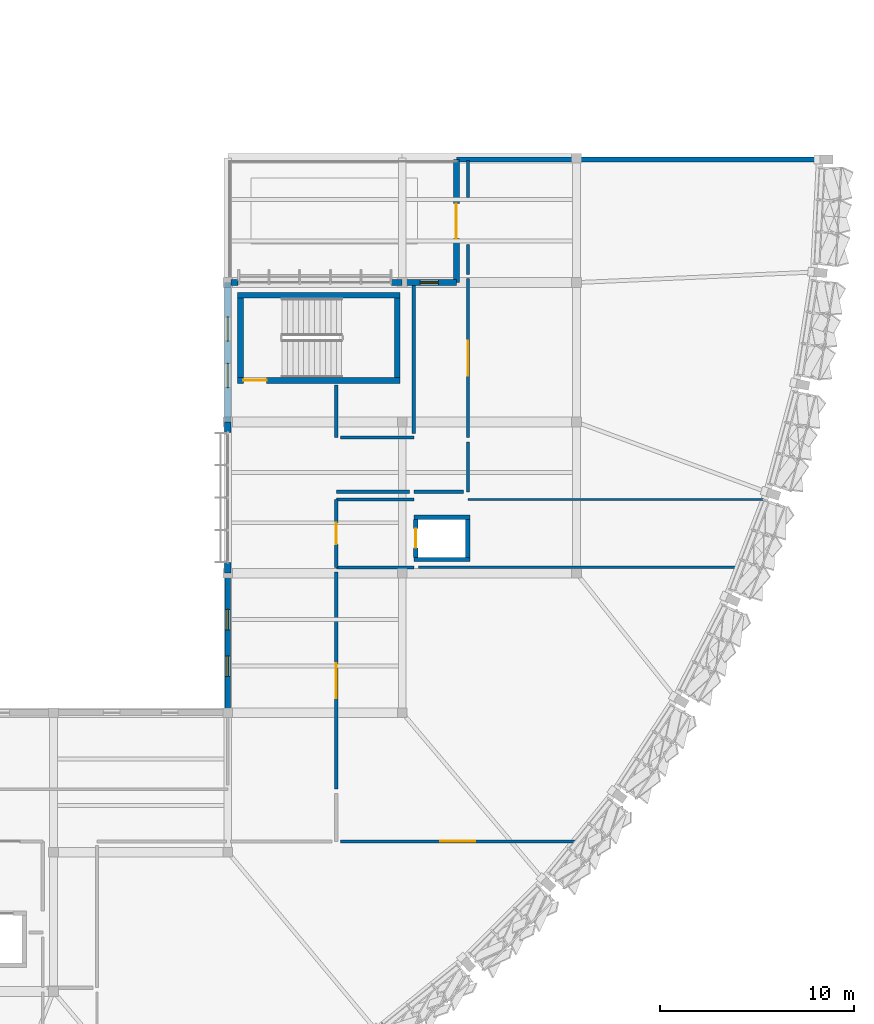
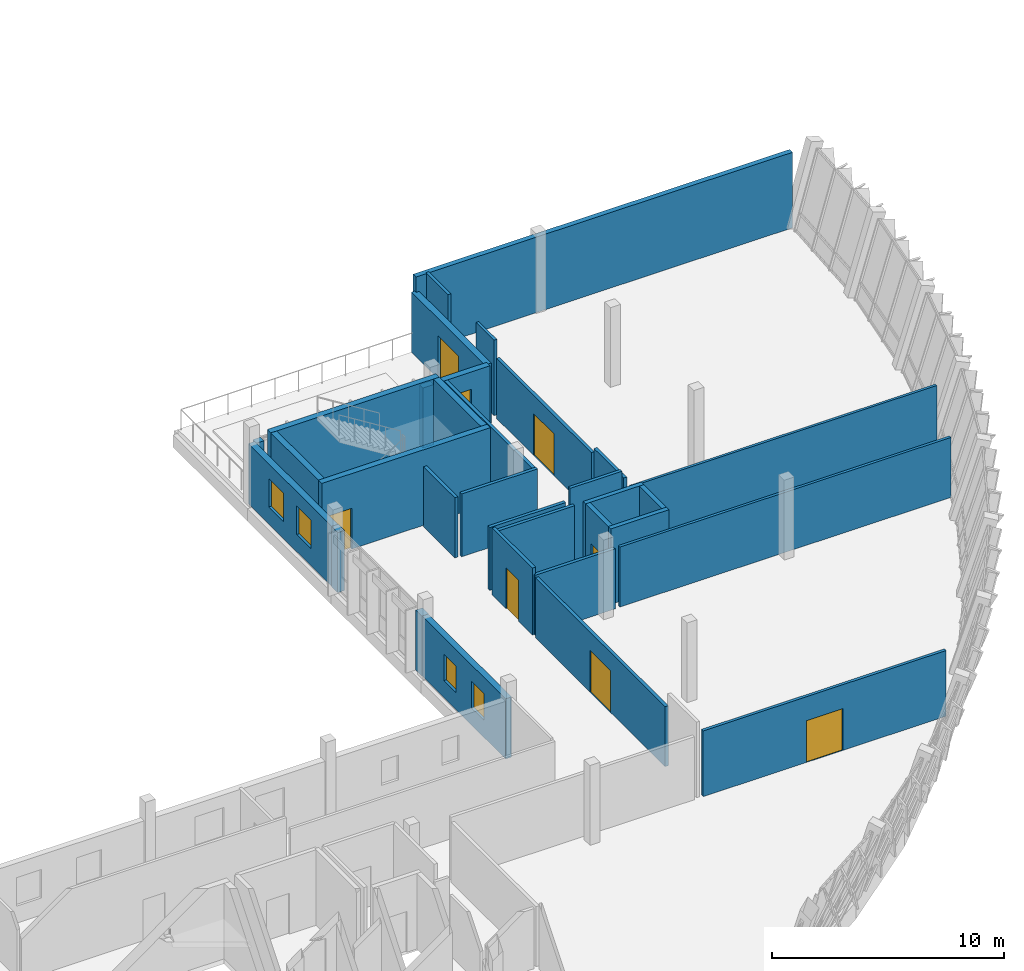
# One storey, part 22 of 24: 33 walls, 7 doors, 5 windows, 12 openings.
"""IFC4 building model written with IfcOpenShell, lengths in metres."""

from ifc_helpers import new_model, si_unit, direction, frame, frame_2d, origin, place, context, subcontext, project, spatial, rectangle, extrude, material, layer, layer_set, type_object, element, fill, save


model = new_model("IFC4")

# Units and contexts
model_context = context("Model", 3, precision=1e-05, world=origin(), true_north=direction((0.0, 1.0)))
body_context = subcontext(model_context, "Body", "Model", "MODEL_VIEW")
ifc_project = project(units=[si_unit("LENGTHUNIT", "METRE"), si_unit("AREAUNIT", "SQUARE_METRE"), si_unit("VOLUMEUNIT", "CUBIC_METRE"), si_unit("PLANEANGLEUNIT", "RADIAN"), si_unit("MASSUNIT", "GRAM", prefix="KILO")], contexts=[model_context])

# Site, building, storey
site_placement = place(None, origin())
site = spatial("IfcSite", under=ifc_project, at=site_placement, CompositionType="ELEMENT")
building_placement = place(site_placement, origin())
building = spatial("IfcBuilding", under=site, at=building_placement, Name="Chiffa Square Polytechnic", CompositionType="ELEMENT")
storey_placement = place(building_placement, frame((0.0, 0.0, 22.199951171875)))
storey = spatial("IfcBuildingStorey", under=building, at=storey_placement, Name="L05", CompositionType="ELEMENT", Elevation=22.199951171875)

# Wall, opening, door
ifc_material_1 = material(Name="Concrete C40/50", Category="concrete")
ifc_layer_1 = layer(ifc_material_1, 0.300048828125, Name="Concrete C40/50")
ifc_layer_set_1 = layer_set([ifc_layer_1], Name="Concrete C40/50")
wall_type_1 = type_object("IfcWallType", Name="WL-CORE-300", PredefinedType="SHEAR", material=ifc_layer_set_1)
wall_1_placement = place(storey_placement, frame((148.699951171875, 45.949951171875, 0.0), z_axis=(0.0, 0.0, 1.0), x_axis=(1.0, 0.0, 0.0)))
wall_1 = element("IfcWall", 1, at=wall_1_placement, inside=storey, type_object=wall_type_1, Name="Core or enclosure wall WC-CORE-V1B-L05-SOUTH", PredefinedType="SHEAR", context=body_context, shape_type="SweptSolid", body=[
    extrude(rectangle(XDim=8.400146484375, YDim=0.300048828125, at=frame_2d((4.2001953125, 0.0))), origin(), (0.0, 0.0, 1.0), 3.97998046875),
])
opening_1_placement = place(wall_1_placement, frame((0.300048828125, 0.0, 0.0)))
opening_1 = element("IfcOpeningElement", 2, at=opening_1_placement, cuts=wall_1, Name="Opening DS-L05-015", PredefinedType="OPENING", context=body_context, shape_type="SweptSolid", body=[
    extrude(rectangle(XDim=1.199951171875, YDim=2.14990234375, at=frame_2d((0.60009765625, 1.074951171875))), frame((0.0, 0.16015625, 0.0), z_axis=(0.0, -1.0, 0.0), x_axis=(1.0, 0.0, 0.0)), (0.0, 0.0, 1.0), 0.320068359375),
])
ifc_material_2 = material(Name="Fire-rated painted steel leaf", Category="steel")
door_type_1 = type_object("IfcDoorType", Name="DR-STAIR-1200", OperationType="NOTDEFINED", PredefinedType="DOOR", material=ifc_material_2)
door_1_placement = place(opening_1_placement, origin())
door_1 = element("IfcDoor", 3, at=door_1_placement, inside=storey, type_object=door_type_1, Name="Enclosure door DS-L05-015", OperationType="SINGLE_SWING_LEFT", OverallHeight=2.14990234375, OverallWidth=1.199951171875, PredefinedType="DOOR", context=body_context, shape_type="SweptSolid", body=[
    extrude(rectangle(XDim=1.199951171875, YDim=2.14990234375, at=frame_2d((0.60009765625, 1.074951171875))), frame((0.0, 0.02490234375, 0.0), z_axis=(0.0, -1.0, 0.0), x_axis=(1.0, 0.0, 0.0)), (0.0, 0.0, 1.0), 0.050048828125),
])
fill(opening_1, door_1)

# Walls
wall_2_placement = place(storey_placement, frame((148.699951171875, 50.35009765625, 0.0), z_axis=(0.0, 0.0, 1.0), x_axis=(1.0, 0.0, 0.0)))
element("IfcWall", 4, at=wall_2_placement, inside=storey, type_object=wall_type_1, Name="Core or enclosure wall WC-CORE-V1B-L05-NORTH", PredefinedType="SHEAR", context=body_context, shape_type="SweptSolid", body=[
    extrude(rectangle(XDim=8.400146484375, YDim=0.300048828125, at=frame_2d((4.2001953125, 0.0))), origin(), (0.0, 0.0, 1.0), 3.97998046875),
])
for number, where, z_axis, x_axis, name in (
    (5, (148.85009765625, 46.10009765625, 0.0), (0.0, 0.0, 1.0), (0.0, 1.0, 0.0), "Core or enclosure wall WC-CORE-V1B-L05-WEST"),
    (6, (156.949951171875, 46.10009765625, 0.0), (0.0, 0.0, 1.0), (0.0, 1.0, 0.0), "Core or enclosure wall WC-CORE-V1B-L05-EAST"),
):
    element("IfcWall", number, at=place(storey_placement, frame(where, z_axis=z_axis, x_axis=x_axis)), inside=storey, type_object=wall_type_1, Name=name, PredefinedType="SHEAR", context=body_context, shape_type="SweptSolid", body=[
        extrude(rectangle(XDim=4.099853515625, YDim=0.300048828125, at=frame_2d((2.0498046875, 0.0))), origin(), (0.0, 0.0, 1.0), 3.97998046875),
    ])

# Wall, opening, window
ifc_material_3 = material(Name="Precast concrete C40/50", Category="concrete")
ifc_layer_2 = layer(ifc_material_3, 0.300048828125, Name="Precast concrete C40/50")
ifc_layer_set_2 = layer_set([ifc_layer_2], Name="Precast concrete C40/50")
wall_type_2 = type_object("IfcWallType", Name="WL-EXT-PC300", PredefinedType="SOLIDWALL", material=ifc_layer_set_2)
wall_3_placement = place(storey_placement, frame((160.0, 51.0, 0.0), z_axis=(0.0, 0.0, 1.0), x_axis=(-1.0, 0.0, 0.0)))
wall_3 = element("IfcWall", 7, at=wall_3_placement, inside=storey, type_object=wall_type_2, Name="Exterior wall WE-V1-L05-0074", PredefinedType="SOLIDWALL", context=body_context, shape_type="SweptSolid", body=[
    extrude(rectangle(XDim=2.800048828125, YDim=0.300048828125, at=frame_2d((1.39990234375, 0.0))), origin(), (0.0, 0.0, 1.0), 3.1650390625),
])
opening_2_placement = place(wall_3_placement, frame((0.925048828125, 0.0, 0.89990234375)))
opening_2 = element("IfcOpeningElement", 8, at=opening_2_placement, cuts=wall_3, Name="Opening W-21", PredefinedType="OPENING", context=body_context, shape_type="SweptSolid", body=[
    extrude(rectangle(XDim=0.949951171875, YDim=1.35009765625, at=frame_2d((0.47509765625, 0.675048828125))), frame((0.0, 0.16015625, 0.0), z_axis=(0.0, -1.0, 0.0), x_axis=(1.0, 0.0, 0.0)), (0.0, 0.0, 1.0), 0.320068359375),
])
ifc_material_4 = material(Name="Double glazing in thermally broken aluminium frame", Category="aluminium")
window_type_1 = type_object("IfcWindowType", Name="WIN-OFF-0950X1350", PartitioningType="DOUBLE_PANEL_VERTICAL", PredefinedType="WINDOW", material=ifc_material_4)
window_1_placement = place(opening_2_placement, origin())
window_1 = element("IfcWindow", 9, at=window_1_placement, inside=storey, type_object=window_type_1, Name="Facade window WN-L05-0074", OverallHeight=1.35009765625, OverallWidth=0.949951171875, PartitioningType="DOUBLE_PANEL_VERTICAL", PredefinedType="WINDOW", context=body_context, shape_type="SweptSolid", body=[
    extrude(rectangle(XDim=0.949951171875, YDim=1.35009765625, at=frame_2d((0.47509765625, 0.675048828125))), frame((0.0, 0.030029296875, 0.0), z_axis=(0.0, -1.0, 0.0), x_axis=(1.0, 0.0, 0.0)), (0.0, 0.0, 1.0), 0.06005859375),
])
fill(opening_2, window_1)

# Wall, openings, windows
wall_4_placement = place(storey_placement, frame((148.199951171875, 36.0, 0.0), z_axis=(0.0, 0.0, 1.0), x_axis=(0.0, -1.0, 0.0)))
wall_4 = element("IfcWall", 10, at=wall_4_placement, inside=storey, type_object=wall_type_2, Name="Exterior wall WE-V1-L05-0078", PredefinedType="SOLIDWALL", context=body_context, shape_type="SweptSolid", body=[
    extrude(rectangle(XDim=7.199951171875, YDim=0.300048828125, at=frame_2d((3.60009765625, 0.0))), origin(), (0.0, 0.0, 1.0), 3.1650390625),
])
opening_3_placement = place(wall_4_placement, frame((1.875, 0.0, 0.89990234375)))
opening_3 = element("IfcOpeningElement", 11, at=opening_3_placement, cuts=wall_4, Name="Opening W-20", PredefinedType="OPENING", context=body_context, shape_type="SweptSolid", body=[
    extrude(rectangle(XDim=1.050048828125, YDim=1.39990234375, at=frame_2d((0.52490234375, 0.699951171875))), frame((0.0, 0.16015625, 0.0), z_axis=(0.0, -1.0, 0.0), x_axis=(1.0, 0.0, 0.0)), (0.0, 0.0, 1.0), 0.320068359375),
])
opening_4_placement = place(wall_4_placement, frame((4.27490234375, 0.0, 0.89990234375)))
opening_4 = element("IfcOpeningElement", 12, at=opening_4_placement, cuts=wall_4, Name="Opening W-20", PredefinedType="OPENING", context=body_context, shape_type="SweptSolid", body=[
    extrude(rectangle(XDim=1.050048828125, YDim=1.39990234375, at=frame_2d((0.52490234375, 0.699951171875))), frame((0.0, 0.16015625, 0.0), z_axis=(0.0, -1.0, 0.0), x_axis=(1.0, 0.0, 0.0)), (0.0, 0.0, 1.0), 0.320068359375),
])
window_type_2 = type_object("IfcWindowType", Name="WIN-OFF-1050X1400", PartitioningType="DOUBLE_PANEL_VERTICAL", PredefinedType="WINDOW", material=ifc_material_4)
window_2_placement = place(opening_3_placement, origin())
window_2 = element("IfcWindow", 13, at=window_2_placement, inside=storey, type_object=window_type_2, Name="Facade window WN-L05-0077", OverallHeight=1.39990234375, OverallWidth=1.050048828125, PartitioningType="DOUBLE_PANEL_VERTICAL", PredefinedType="WINDOW", context=body_context, shape_type="SweptSolid", body=[
    extrude(rectangle(XDim=1.050048828125, YDim=1.39990234375, at=frame_2d((0.52490234375, 0.699951171875))), frame((0.0, 0.030029296875, 0.0), z_axis=(0.0, -1.0, 0.0), x_axis=(1.0, 0.0, 0.0)), (0.0, 0.0, 1.0), 0.06005859375),
])
fill(opening_3, window_2)
window_3_placement = place(opening_4_placement, origin())
window_3 = element("IfcWindow", 14, at=window_3_placement, inside=storey, type_object=window_type_2, Name="Facade window WN-L05-0078", OverallHeight=1.39990234375, OverallWidth=1.050048828125, PartitioningType="DOUBLE_PANEL_VERTICAL", PredefinedType="WINDOW", context=body_context, shape_type="SweptSolid", body=[
    extrude(rectangle(XDim=1.050048828125, YDim=1.39990234375, at=frame_2d((0.52490234375, 0.699951171875))), frame((0.0, 0.030029296875, 0.0), z_axis=(0.0, -1.0, 0.0), x_axis=(1.0, 0.0, 0.0)), (0.0, 0.0, 1.0), 0.06005859375),
])
fill(opening_4, window_3)

# Wall, opening, door
ifc_layer_3 = layer(ifc_material_3, 0.320068359375, Name="Precast concrete C40/50")
ifc_layer_set_3 = layer_set([ifc_layer_3], Name="Precast concrete C40/50")
wall_type_3 = type_object("IfcWallType", Name="WL-EXT-PC320", PredefinedType="SOLIDWALL", material=ifc_layer_set_3)
wall_5_placement = place(storey_placement, frame((160.0, 57.35009765625, 0.0), z_axis=(0.0, 0.0, 1.0), x_axis=(0.0, -1.0, 0.0)))
wall_5 = element("IfcWall", 15, at=wall_5_placement, inside=storey, type_object=wall_type_3, Name="Exterior wall WE-V1-L05-0073", PredefinedType="SOLIDWALL", context=body_context, shape_type="SweptSolid", body=[
    extrude(rectangle(XDim=6.35009765625, YDim=0.320068359375, at=frame_2d((3.175048828125, 0.0))), origin(), (0.0, 0.0, 1.0), 3.1650390625),
])
opening_5_placement = place(wall_5_placement, frame((2.27490234375, 0.0, 0.0)))
opening_5 = element("IfcOpeningElement", 16, at=opening_5_placement, cuts=wall_5, Name="Opening DT-L05-015", PredefinedType="OPENING", context=body_context, shape_type="SweptSolid", body=[
    extrude(rectangle(XDim=1.800048828125, YDim=2.25, at=frame_2d((0.89990234375, 1.125))), frame((0.0, 0.169921875, 0.0), z_axis=(0.0, -1.0, 0.0), x_axis=(1.0, 0.0, 0.0)), (0.0, 0.0, 1.0), 0.340087890625),
])
ifc_material_5 = material(Name="Thermally broken aluminium glazed door", Category="aluminium")
door_type_2 = type_object("IfcDoorType", Name="DR-TERR-DBL-1800", OperationType="DOUBLE_DOOR_SINGLE_SWING", PredefinedType="DOOR", material=ifc_material_5)
door_2_placement = place(opening_5_placement, origin())
door_2 = element("IfcDoor", 17, at=door_2_placement, inside=storey, type_object=door_type_2, Name="Exterior door DT-L05-015", OperationType="DOUBLE_DOOR_SINGLE_SWING", OverallHeight=2.25, OverallWidth=1.800048828125, PredefinedType="DOOR", context=body_context, shape_type="SweptSolid", body=[
    extrude(rectangle(XDim=1.800048828125, YDim=2.25, at=frame_2d((0.89990234375, 1.125))), frame((0.0, 0.02490234375, 0.0), z_axis=(0.0, -1.0, 0.0), x_axis=(1.0, 0.0, 0.0)), (0.0, 0.0, 1.0), 0.050048828125),
])
fill(opening_5, door_2)

# Walls
wall_6_placement = place(storey_placement, frame((157.199951171875, 51.0, 0.0), z_axis=(0.0, 0.0, 1.0), x_axis=(-1.0, 0.0, 0.0)))
element("IfcWall", 18, at=wall_6_placement, inside=storey, type_object=wall_type_3, Name="Facade column pier V1-L05-0075L", PredefinedType="SOLIDWALL", context=body_context, shape_type="SweptSolid", body=[
    extrude(rectangle(XDim=0.5400390625, YDim=0.320068359375, at=frame_2d((0.27001953125, 0.0))), origin(), (0.0, 0.0, 1.0), 3.1650390625),
])
wall_7_placement = place(storey_placement, frame((148.739990234375, 51.0, 0.0), z_axis=(0.0, 0.0, 1.0), x_axis=(-1.0, 0.0, 0.0)))
element("IfcWall", 19, at=wall_7_placement, inside=storey, type_object=wall_type_3, Name="Facade column pier V1-L05-0075R", PredefinedType="SOLIDWALL", context=body_context, shape_type="SweptSolid", body=[
    extrude(rectangle(XDim=0.3779296875, YDim=0.320068359375, at=frame_2d((0.18896484375, 0.0))), origin(), (0.0, 0.0, 1.0), 3.1650390625),
])

# Wall, openings, windows
wall_8_placement = place(storey_placement, frame((148.199951171875, 51.0, 0.0), z_axis=(0.0, 0.0, 1.0), x_axis=(0.0, -1.0, 0.0)))
wall_8 = element("IfcWall", 20, at=wall_8_placement, inside=storey, type_object=wall_type_3, Name="Exterior wall WE-V1-L05-0076", PredefinedType="SOLIDWALL", context=body_context, shape_type="SweptSolid", body=[
    extrude(rectangle(XDim=7.199951171875, YDim=0.320068359375, at=frame_2d((3.60009765625, 0.0))), origin(), (0.0, 0.0, 1.0), 3.1650390625),
])
opening_6_placement = place(wall_8_placement, frame((1.77490234375, 0.0, 0.89990234375)))
opening_6 = element("IfcOpeningElement", 21, at=opening_6_placement, cuts=wall_8, Name="Opening W-18", PredefinedType="OPENING", context=body_context, shape_type="SweptSolid", body=[
    extrude(rectangle(XDim=1.25, YDim=1.5, at=frame_2d((0.625, 0.75))), frame((0.0, 0.169921875, 0.0), z_axis=(0.0, -1.0, 0.0), x_axis=(1.0, 0.0, 0.0)), (0.0, 0.0, 1.0), 0.340087890625),
])
opening_7_placement = place(wall_8_placement, frame((4.175048828125, 0.0, 0.89990234375)))
opening_7 = element("IfcOpeningElement", 22, at=opening_7_placement, cuts=wall_8, Name="Opening W-18", PredefinedType="OPENING", context=body_context, shape_type="SweptSolid", body=[
    extrude(rectangle(XDim=1.25, YDim=1.5, at=frame_2d((0.625, 0.75))), frame((0.0, 0.169921875, 0.0), z_axis=(0.0, -1.0, 0.0), x_axis=(1.0, 0.0, 0.0)), (0.0, 0.0, 1.0), 0.340087890625),
])
window_type_3 = type_object("IfcWindowType", Name="WIN-OFF-1250X1500", PartitioningType="DOUBLE_PANEL_VERTICAL", PredefinedType="WINDOW", material=ifc_material_4)
window_4_placement = place(opening_6_placement, origin())
window_4 = element("IfcWindow", 23, at=window_4_placement, inside=storey, type_object=window_type_3, Name="Facade window WN-L05-0075", OverallHeight=1.5, OverallWidth=1.25, PartitioningType="DOUBLE_PANEL_VERTICAL", PredefinedType="WINDOW", context=body_context, shape_type="SweptSolid", body=[
    extrude(rectangle(XDim=1.25, YDim=1.5, at=frame_2d((0.625, 0.75))), frame((0.0, 0.030029296875, 0.0), z_axis=(0.0, -1.0, 0.0), x_axis=(1.0, 0.0, 0.0)), (0.0, 0.0, 1.0), 0.06005859375),
])
fill(opening_6, window_4)
window_5_placement = place(opening_7_placement, origin())
window_5 = element("IfcWindow", 24, at=window_5_placement, inside=storey, type_object=window_type_3, Name="Facade window WN-L05-0076", OverallHeight=1.5, OverallWidth=1.25, PartitioningType="DOUBLE_PANEL_VERTICAL", PredefinedType="WINDOW", context=body_context, shape_type="SweptSolid", body=[
    extrude(rectangle(XDim=1.25, YDim=1.5, at=frame_2d((0.625, 0.75))), frame((0.0, 0.030029296875, 0.0), z_axis=(0.0, -1.0, 0.0), x_axis=(1.0, 0.0, 0.0)), (0.0, 0.0, 1.0), 0.06005859375),
])
fill(opening_7, window_5)

# Walls
ifc_layer_4 = layer(ifc_material_3, 0.340087890625, Name="Precast concrete C40/50")
ifc_layer_set_4 = layer_set([ifc_layer_4], Name="Precast concrete C40/50")
wall_type_4 = type_object("IfcWallType", Name="WL-EXT-PC340", PredefinedType="SOLIDWALL", material=ifc_layer_set_4)
for number, where, z_axis, x_axis, name in (
    (25, (148.199951171875, 43.800048828125, 0.0), (0.0, 0.0, 1.0), (0.0, -1.0, 0.0), "Facade column pier V1-L05-0077L"),
    (26, (148.199951171875, 36.5400390625, 0.0), (0.0, 0.0, 1.0), (0.0, -1.0, 0.0), "Facade column pier V1-L05-0077R"),
):
    element("IfcWall", number, at=place(storey_placement, frame(where, z_axis=z_axis, x_axis=x_axis)), inside=storey, type_object=wall_type_4, Name=name, PredefinedType="SOLIDWALL", context=body_context, shape_type="SweptSolid", body=[
        extrude(rectangle(XDim=0.5400390625, YDim=0.340087890625, at=frame_2d((0.27001953125, 0.0))), origin(), (0.0, 0.0, 1.0), 3.1650390625),
    ])
ifc_material_6 = material(Name="Gypsum board on steel stud", Category="steel")
ifc_layer_5 = layer(ifc_material_6, 0.125, Name="Gypsum board on steel stud")
ifc_layer_set_5 = layer_set([ifc_layer_5], Name="Gypsum board on steel stud")
wall_type_5 = type_object("IfcWallType", Name="WL-PART-125", PredefinedType="PARTITIONING", material=ifc_layer_set_5)
wall_9_placement = place(storey_placement, frame((160.60009765625, 39.800048828125, 0.0), z_axis=(0.0, 0.0, 1.0), x_axis=(1.0, 0.0, 0.0)))
element("IfcWall", 27, at=wall_9_placement, inside=storey, type_object=wall_type_5, Name="Interior partition WP-V1-L05-0704", PredefinedType="PARTITIONING", context=body_context, shape_type="SweptSolid", body=[
    extrude(rectangle(XDim=15.2568359375, YDim=0.125, at=frame_2d((7.62841796875, 0.0))), origin(), (0.0, 0.0, 1.0), 3.31494140625),
])
ifc_layer_6 = layer(ifc_material_6, 0.135009765625, Name="Gypsum board on steel stud")
ifc_layer_set_6 = layer_set([ifc_layer_6], Name="Gypsum board on steel stud")
wall_type_6 = type_object("IfcWallType", Name="WL-PART-135", PredefinedType="PARTITIONING", material=ifc_layer_set_6)
wall_10_placement = place(storey_placement, frame((158.0400390625, 36.300048828125, 0.0), z_axis=(0.0, 0.0, 1.0), x_axis=(1.0, 0.0, 0.0)))
element("IfcWall", 28, at=wall_10_placement, inside=storey, type_object=wall_type_6, Name="Interior partition WP-V1-L05-0688", PredefinedType="PARTITIONING", context=body_context, shape_type="SweptSolid", body=[
    extrude(rectangle(XDim=16.509033203125, YDim=0.135009765625, at=frame_2d((8.25439453125, 0.0))), origin(), (0.0, 0.0, 1.0), 3.1650390625),
])

# Wall, opening, door
ifc_layer_7 = layer(ifc_material_6, 0.14501953125, Name="Gypsum board on steel stud")
ifc_layer_set_7 = layer_set([ifc_layer_7], Name="Gypsum board on steel stud")
wall_type_7 = type_object("IfcWallType", Name="WL-PART-145", PredefinedType="PARTITIONING", material=ifc_layer_set_7)
wall_11_placement = place(storey_placement, frame((154.02001953125, 22.14990234375, 0.0), z_axis=(0.0, 0.0, 1.0), x_axis=(1.0, 0.0, 0.0)))
wall_11 = element("IfcWall", 29, at=wall_11_placement, inside=storey, type_object=wall_type_7, Name="Interior partition WP-V1-L05-0687", PredefinedType="PARTITIONING", context=body_context, shape_type="SweptSolid", body=[
    extrude(rectangle(XDim=12.10888671875, YDim=0.14501953125, at=frame_2d((6.054443359375, 0.0))), origin(), (0.0, 0.0, 1.0), 3.465087890625),
])
opening_8_placement = place(wall_11_placement, frame((5.154052734375, 0.0, 0.0)))
opening_8 = element("IfcOpeningElement", 30, at=opening_8_placement, cuts=wall_11, Name="Opening DI-L05-238", PredefinedType="OPENING", context=body_context, shape_type="SweptSolid", body=[
    extrude(rectangle(XDim=1.800048828125, YDim=2.199951171875, at=frame_2d((0.89990234375, 1.10009765625))), frame((0.0, 0.08251953125, 0.0), z_axis=(0.0, -1.0, 0.0), x_axis=(1.0, 0.0, 0.0)), (0.0, 0.0, 1.0), 0.1650390625),
])
ifc_material_7 = material(Name="Solid oak fire door pair")
door_type_3 = type_object("IfcDoorType", Name="DR-CORR-DBL-1800", OperationType="DOUBLE_DOOR_SINGLE_SWING", PredefinedType="DOOR", material=ifc_material_7)
door_3_placement = place(opening_8_placement, origin())
door_3 = element("IfcDoor", 31, at=door_3_placement, inside=storey, type_object=door_type_3, Name="Interior room door DI-L05-238", OperationType="DOUBLE_DOOR_SINGLE_SWING", OverallHeight=2.199951171875, OverallWidth=1.800048828125, PredefinedType="DOOR", context=body_context, shape_type="SweptSolid", body=[
    extrude(rectangle(XDim=1.800048828125, YDim=2.199951171875, at=frame_2d((0.89990234375, 1.10009765625))), frame((0.0, 0.02490234375, 0.0), z_axis=(0.0, -1.0, 0.0), x_axis=(1.0, 0.0, 0.0)), (0.0, 0.0, 1.0), 0.050048828125),
])
fill(opening_8, door_3)

# Walls
wall_12_placement = place(storey_placement, frame((160.60009765625, 51.419921875, 0.0), z_axis=(0.0, 0.0, 1.0), x_axis=(0.0, 1.0, 0.0)))
element("IfcWall", 32, at=wall_12_placement, inside=storey, type_object=wall_type_7, Name="Interior partition WP-V1-L05-0702", PredefinedType="PARTITIONING", context=body_context, shape_type="SweptSolid", body=[
    extrude(rectangle(XDim=1.547119140625, YDim=0.14501953125, at=frame_2d((0.7734375, 0.0))), origin(), (0.0, 0.0, 1.0), 3.97998046875),
])
wall_13_placement = place(storey_placement, frame((160.60009765625, 55.383056640625, 0.0), z_axis=(0.0, 0.0, 1.0), x_axis=(0.0, 1.0, 0.0)))
element("IfcWall", 33, at=wall_13_placement, inside=storey, type_object=wall_type_7, Name="Interior partition WP-V1-L05-0703", PredefinedType="PARTITIONING", context=body_context, shape_type="SweptSolid", body=[
    extrude(rectangle(XDim=1.911865234375, YDim=0.14501953125, at=frame_2d((0.9560546875, 0.0))), origin(), (0.0, 0.0, 1.0), 3.97998046875),
])
ifc_material_8 = material(Name="Gypsum board on acoustic steel stud", Category="steel")
ifc_layer_8 = layer(ifc_material_8, 0.159912109375, Name="Gypsum board on acoustic steel stud")
ifc_layer_set_8 = layer_set([ifc_layer_8], Name="Gypsum board on acoustic steel stud")
wall_type_8 = type_object("IfcWallType", Name="WL-PART-EI60-160", PredefinedType="PARTITIONING", material=ifc_layer_set_8)
wall_14_placement = place(storey_placement, frame((153.800048828125, 36.300048828125, 0.0), z_axis=(0.0, 0.0, 1.0), x_axis=(1.0, 0.0, 0.0)))
element("IfcWall", 34, at=wall_14_placement, inside=storey, type_object=wall_type_8, Name="Lift lobby rated enclosure WP-LOB-LP-V1B-L05-SOUTH", PredefinedType="PARTITIONING", context=body_context, shape_type="SweptSolid", body=[
    extrude(rectangle(XDim=4.0, YDim=0.159912109375, at=frame_2d((2.0, 0.0))), origin(), (0.0, 0.0, 1.0), 3.1650390625),
])
wall_15_placement = place(storey_placement, frame((153.800048828125, 39.800048828125, 0.0), z_axis=(0.0, 0.0, 1.0), x_axis=(1.0, 0.0, 0.0)))
element("IfcWall", 35, at=wall_15_placement, inside=storey, type_object=wall_type_8, Name="Lift lobby rated enclosure WP-LOB-LP-V1B-L05-NORTH", PredefinedType="PARTITIONING", context=body_context, shape_type="SweptSolid", body=[
    extrude(rectangle(XDim=4.0, YDim=0.159912109375, at=frame_2d((2.0, 0.0))), origin(), (0.0, 0.0, 1.0), 3.31494140625),
])

# Wall, opening, door
wall_16_placement = place(storey_placement, frame((153.800048828125, 36.300048828125, 0.0), z_axis=(0.0, 0.0, 1.0), x_axis=(0.0, 1.0, 0.0)))
wall_16 = element("IfcWall", 36, at=wall_16_placement, inside=storey, type_object=wall_type_8, Name="Lift lobby rated enclosure WP-LOB-LP-V1B-L05-WEST", PredefinedType="PARTITIONING", context=body_context, shape_type="SweptSolid", body=[
    extrude(rectangle(XDim=3.5, YDim=0.159912109375, at=frame_2d((1.75, 0.0))), origin(), (0.0, 0.0, 1.0), 3.525146484375),
])
opening_9_placement = place(wall_16_placement, frame((1.199951171875, 0.0, 0.0)))
opening_9 = element("IfcOpeningElement", 37, at=opening_9_placement, cuts=wall_16, Name="Opening DI-L05-023", PredefinedType="OPENING", context=body_context, shape_type="SweptSolid", body=[
    extrude(rectangle(XDim=1.10009765625, YDim=2.14990234375, at=frame_2d((0.550048828125, 1.074951171875))), frame((0.0, 0.08984375, 0.0), z_axis=(0.0, -1.0, 0.0), x_axis=(1.0, 0.0, 0.0)), (0.0, 0.0, 1.0), 0.179931640625),
])
ifc_material_9 = material(Name="Solid core ash veneer door")
door_type_4 = type_object("IfcDoorType", Name="DR-INT-1100", OperationType="NOTDEFINED", PredefinedType="DOOR", material=ifc_material_9)
door_4_placement = place(opening_9_placement, origin())
door_4 = element("IfcDoor", 38, at=door_4_placement, inside=storey, type_object=door_type_4, Name="Lift lobby fire door DI-L05-023", OperationType="SINGLE_SWING_RIGHT", OverallHeight=2.14990234375, OverallWidth=1.10009765625, PredefinedType="DOOR", context=body_context, shape_type="SweptSolid", body=[
    extrude(rectangle(XDim=1.10009765625, YDim=2.14990234375, at=frame_2d((0.550048828125, 1.074951171875))), frame((0.0, 0.02490234375, 0.0), z_axis=(0.0, -1.0, 0.0), x_axis=(1.0, 0.0, 0.0)), (0.0, 0.0, 1.0), 0.050048828125),
])
fill(opening_9, door_4)

wall_17_placement = place(storey_placement, frame((153.800048828125, 24.85009765625, 0.0), z_axis=(0.0, 0.0, 1.0), x_axis=(0.0, 1.0, 0.0)))
wall_17 = element("IfcWall", 39, at=wall_17_placement, inside=storey, type_object=wall_type_8, Name="Interior partition WP-V1-L05-0685", PredefinedType="PARTITIONING", context=body_context, shape_type="SweptSolid", body=[
    extrude(rectangle(XDim=11.2099609375, YDim=0.159912109375, at=frame_2d((5.60498046875, 0.0))), origin(), (0.0, 0.0, 1.0), 3.1650390625),
])
opening_10_placement = place(wall_17_placement, frame((4.705078125, 0.0, 0.0)))
opening_10 = element("IfcOpeningElement", 40, at=opening_10_placement, cuts=wall_17, Name="Opening DI-L05-237", PredefinedType="OPENING", context=body_context, shape_type="SweptSolid", body=[
    extrude(rectangle(XDim=1.800048828125, YDim=2.199951171875, at=frame_2d((0.89990234375, 1.10009765625))), frame((0.0, 0.08984375, 0.0), z_axis=(0.0, -1.0, 0.0), x_axis=(1.0, 0.0, 0.0)), (0.0, 0.0, 1.0), 0.179931640625),
])
door_5_placement = place(opening_10_placement, origin())
door_5 = element("IfcDoor", 41, at=door_5_placement, inside=storey, type_object=door_type_3, Name="Interior room door DI-L05-237", OperationType="DOUBLE_DOOR_SINGLE_SWING", OverallHeight=2.199951171875, OverallWidth=1.800048828125, PredefinedType="DOOR", context=body_context, shape_type="SweptSolid", body=[
    extrude(rectangle(XDim=1.800048828125, YDim=2.199951171875, at=frame_2d((0.89990234375, 1.10009765625))), frame((0.0, 0.02490234375, 0.0), z_axis=(0.0, -1.0, 0.0), x_axis=(1.0, 0.0, 0.0)), (0.0, 0.0, 1.0), 0.050048828125),
])
fill(opening_10, door_5)

wall_18_placement = place(storey_placement, frame((160.60009765625, 43.0, 0.0), z_axis=(0.0, 0.0, 1.0), x_axis=(0.0, 1.0, 0.0)))
wall_18 = element("IfcWall", 42, at=wall_18_placement, inside=storey, type_object=wall_type_8, Name="Interior partition WP-V1-L05-0700", PredefinedType="PARTITIONING", context=body_context, shape_type="SweptSolid", body=[
    extrude(rectangle(XDim=8.199951171875, YDim=0.159912109375, at=frame_2d((4.10009765625, 0.0))), origin(), (0.0, 0.0, 1.0), 3.1650390625),
])
opening_11_placement = place(wall_18_placement, frame((3.199951171875, 0.0, 0.0)))
opening_11 = element("IfcOpeningElement", 43, at=opening_11_placement, cuts=wall_18, Name="Opening DI-L05-239", PredefinedType="OPENING", context=body_context, shape_type="SweptSolid", body=[
    extrude(rectangle(XDim=1.800048828125, YDim=2.199951171875, at=frame_2d((0.89990234375, 1.10009765625))), frame((0.0, 0.08984375, 0.0), z_axis=(0.0, -1.0, 0.0), x_axis=(1.0, 0.0, 0.0)), (0.0, 0.0, 1.0), 0.179931640625),
])
door_6_placement = place(opening_11_placement, origin())
door_6 = element("IfcDoor", 44, at=door_6_placement, inside=storey, type_object=door_type_3, Name="Interior room door DI-L05-239", OperationType="DOUBLE_DOOR_SINGLE_SWING", OverallHeight=2.199951171875, OverallWidth=1.800048828125, PredefinedType="DOOR", context=body_context, shape_type="SweptSolid", body=[
    extrude(rectangle(XDim=1.800048828125, YDim=2.199951171875, at=frame_2d((0.89990234375, 1.10009765625))), frame((0.0, 0.02490234375, 0.0), z_axis=(0.0, -1.0, 0.0), x_axis=(1.0, 0.0, 0.0)), (0.0, 0.0, 1.0), 0.050048828125),
])
fill(opening_11, door_6)

# Walls
wall_19_placement = place(storey_placement, frame((160.60009765625, 40.199951171875, 0.0), z_axis=(0.0, 0.0, 1.0), x_axis=(0.0, 1.0, 0.0)))
element("IfcWall", 45, at=wall_19_placement, inside=storey, type_object=wall_type_8, Name="Interior partition WP-V1-L05-0701", PredefinedType="PARTITIONING", context=body_context, shape_type="SweptSolid", body=[
    extrude(rectangle(XDim=2.580078125, YDim=0.159912109375, at=frame_2d((1.2900390625, 0.0))), origin(), (0.0, 0.0, 1.0), 3.525146484375),
])
wall_20_placement = place(storey_placement, frame((153.800048828125, 43.0, 0.0), z_axis=(0.0, 0.0, 1.0), x_axis=(0.0, 1.0, 0.0)))
element("IfcWall", 46, at=wall_20_placement, inside=storey, type_object=wall_type_8, Name="Interior partition WP-V1-L05-0705", PredefinedType="PARTITIONING", context=body_context, shape_type="SweptSolid", body=[
    extrude(rectangle(XDim=2.7099609375, YDim=0.159912109375, at=frame_2d((1.35498046875, 0.0))), origin(), (0.0, 0.0, 1.0), 3.1650390625),
])
wall_21_placement = place(storey_placement, frame((154.02001953125, 43.0, 0.0), z_axis=(0.0, 0.0, 1.0), x_axis=(1.0, 0.0, 0.0)))
element("IfcWall", 47, at=wall_21_placement, inside=storey, type_object=wall_type_8, Name="Interior partition WP-V1-L05-0706", PredefinedType="PARTITIONING", context=body_context, shape_type="SweptSolid", body=[
    extrude(rectangle(XDim=3.780029296875, YDim=0.159912109375, at=frame_2d((1.89013671875, 0.0))), origin(), (0.0, 0.0, 1.0), 3.31494140625),
])
wall_22_placement = place(storey_placement, frame((157.800048828125, 43.219970703125, 0.0), z_axis=(0.0, 0.0, 1.0), x_axis=(0.0, 1.0, 0.0)))
element("IfcWall", 48, at=wall_22_placement, inside=storey, type_object=wall_type_8, Name="Interior partition WP-V1-L05-0707", PredefinedType="PARTITIONING", context=body_context, shape_type="SweptSolid", body=[
    extrude(rectangle(XDim=7.72509765625, YDim=0.159912109375, at=frame_2d((3.862548828125, 0.0))), origin(), (0.0, 0.0, 1.0), 3.1650390625),
])
wall_23_placement = place(storey_placement, frame((157.800048828125, 40.199951171875, 0.0), z_axis=(0.0, 0.0, 1.0), x_axis=(1.0, 0.0, 0.0)))
element("IfcWall", 49, at=wall_23_placement, inside=storey, type_object=wall_type_8, Name="Interior partition WP-V1-L05-0708", PredefinedType="PARTITIONING", context=body_context, shape_type="SweptSolid", body=[
    extrude(rectangle(XDim=2.579833984375, YDim=0.159912109375, at=frame_2d((1.2900390625, 0.0))), origin(), (0.0, 0.0, 1.0), 3.97998046875),
])
wall_24_placement = place(storey_placement, frame((153.800048828125, 40.199951171875, 0.0), z_axis=(0.0, 0.0, 1.0), x_axis=(1.0, 0.0, 0.0)))
element("IfcWall", 50, at=wall_24_placement, inside=storey, type_object=wall_type_8, Name="Interior partition WP-V1-L05-0709", PredefinedType="PARTITIONING", context=body_context, shape_type="SweptSolid", body=[
    extrude(rectangle(XDim=3.780029296875, YDim=0.159912109375, at=frame_2d((1.89013671875, 0.0))), origin(), (0.0, 0.0, 1.0), 3.31494140625),
])
ifc_material_10 = material(Name="Concrete C35/45", Category="concrete")
ifc_layer_9 = layer(ifc_material_10, 0.219970703125, Name="Concrete C35/45")
ifc_layer_set_9 = layer_set([ifc_layer_9], Name="Concrete C35/45")
wall_type_9 = type_object("IfcWallType", Name="WL-SHAFT-220", PredefinedType="SHEAR", material=ifc_layer_set_9)
for number, where, z_axis, x_axis, name in (
    (51, (157.800048828125, 36.7099609375, 0.0), (0.0, 0.0, 1.0), (1.0, 0.0, 0.0), "Core or enclosure wall WS-LP-V1B-L05-SOUTH"),
    (52, (157.800048828125, 38.889892578125, 0.0), (0.0, 0.0, 1.0), (1.0, 0.0, 0.0), "Core or enclosure wall WS-LP-V1B-L05-NORTH"),
):
    element("IfcWall", number, at=place(storey_placement, frame(where, z_axis=z_axis, x_axis=x_axis)), inside=storey, type_object=wall_type_9, Name=name, PredefinedType="SHEAR", context=body_context, shape_type="SweptSolid", body=[
        extrude(rectangle(XDim=2.89990234375, YDim=0.219970703125, at=frame_2d((1.449951171875, 0.0))), origin(), (0.0, 0.0, 1.0), 3.97998046875),
    ])

# Wall, opening, door
wall_25_placement = place(storey_placement, frame((157.909912109375, 36.820068359375, 0.0), z_axis=(0.0, 0.0, 1.0), x_axis=(0.0, 1.0, 0.0)))
wall_25 = element("IfcWall", 53, at=wall_25_placement, inside=storey, type_object=wall_type_9, Name="Core or enclosure wall WS-LP-V1B-L05-WEST", PredefinedType="SHEAR", context=body_context, shape_type="SweptSolid", body=[
    extrude(rectangle(XDim=1.9599609375, YDim=0.219970703125, at=frame_2d((0.97998046875, 0.0))), origin(), (0.0, 0.0, 1.0), 3.97998046875),
])
opening_12_placement = place(wall_25_placement, frame((0.47998046875, 0.0, 0.0)))
opening_12 = element("IfcOpeningElement", 54, at=opening_12_placement, cuts=wall_25, Name="Opening LD-LP-V1B-L05", PredefinedType="OPENING", context=body_context, shape_type="SweptSolid", body=[
    extrude(rectangle(XDim=1.0, YDim=2.14990234375, at=frame_2d((0.5, 1.074951171875))), frame((0.0, 0.1201171875, 0.0), z_axis=(0.0, -1.0, 0.0), x_axis=(1.0, 0.0, 0.0)), (0.0, 0.0, 1.0), 0.239990234375),
])
ifc_material_11 = material(Name="Brushed stainless steel sliding landing door", Category="steel")
door_type_5 = type_object("IfcDoorType", Name="DR-LIFT-1000", OperationType="SLIDING_TO_RIGHT", PredefinedType="DOOR", material=ifc_material_11)
door_7_placement = place(opening_12_placement, origin())
door_7 = element("IfcDoor", 55, at=door_7_placement, inside=storey, type_object=door_type_5, Name="Enclosure door LD-LP-V1B-L05", OperationType="SLIDING_TO_LEFT", OverallHeight=2.14990234375, OverallWidth=1.0, PredefinedType="DOOR", context=body_context, shape_type="SweptSolid", body=[
    extrude(rectangle(XDim=1.0, YDim=2.14990234375, at=frame_2d((0.5, 1.074951171875))), frame((0.0, 0.02490234375, 0.0), z_axis=(0.0, -1.0, 0.0), x_axis=(1.0, 0.0, 0.0)), (0.0, 0.0, 1.0), 0.050048828125),
])
fill(opening_12, door_7)

# Walls
wall_26_placement = place(storey_placement, frame((160.590087890625, 36.820068359375, 0.0), z_axis=(0.0, 0.0, 1.0), x_axis=(0.0, 1.0, 0.0)))
element("IfcWall", 56, at=wall_26_placement, inside=storey, type_object=wall_type_9, Name="Core or enclosure wall WS-LP-V1B-L05-EAST", PredefinedType="SHEAR", context=body_context, shape_type="SweptSolid", body=[
    extrude(rectangle(XDim=1.9599609375, YDim=0.219970703125, at=frame_2d((0.97998046875, 0.0))), origin(), (0.0, 0.0, 1.0), 3.97998046875),
])
ifc_layer_10 = layer(ifc_material_10, 0.25, Name="Concrete C35/45")
ifc_layer_set_10 = layer_set([ifc_layer_10], Name="Concrete C35/45")
wall_type_10 = type_object("IfcWallType", Name="WL-SJ-250", PredefinedType="SHEAR", material=ifc_layer_set_10)
wall_27_placement = place(storey_placement, frame((178.764892578125, 57.35009765625, 0.0), z_axis=(0.0, 0.0, 1.0), x_axis=(-1.0, 0.0, 0.0)))
element("IfcWall", 57, at=wall_27_placement, inside=storey, type_object=wall_type_10, Name="Seismic-joint fire wall WE-V1-L05-0072", PredefinedType="SHEAR", context=body_context, shape_type="SweptSolid", body=[
    extrude(rectangle(XDim=18.764892578125, YDim=0.25, at=frame_2d((9.38232421875, 0.0))), origin(), (0.0, 0.0, 1.0), 3.97998046875),
])

save(model, "model.ifc")
